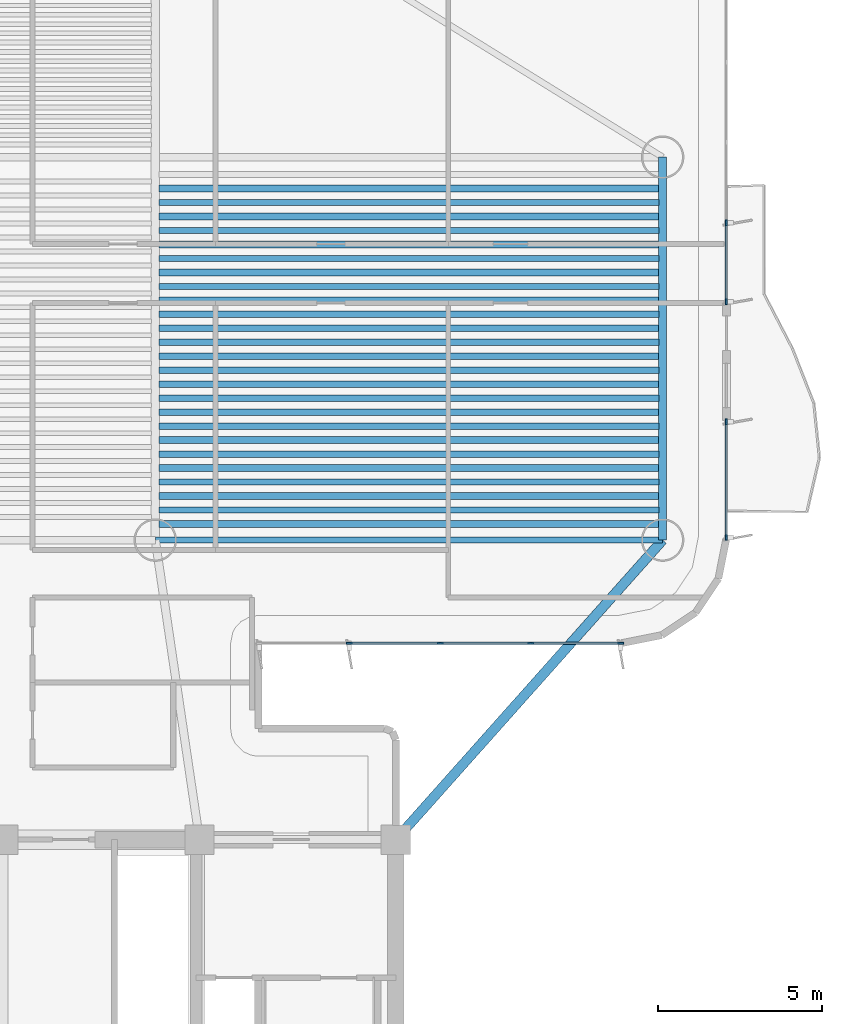
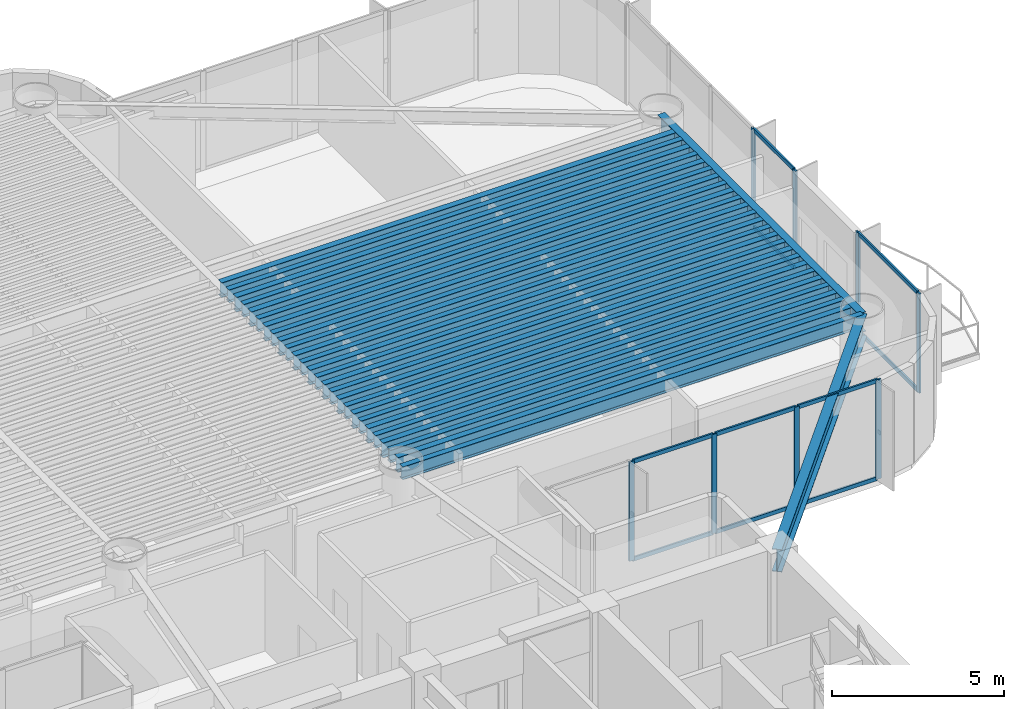
# One storey, part 4 of 16: 28 beams, 18 members, 3 elements without a shape of their own.
"""IFC4 building model written with IfcOpenShell, lengths in metres."""

import ifcopenshell
import ifcopenshell.guid

model = None  # the IFC model being written
_history = None  # IfcOwnerHistory: only IFC2X3 demands one
_inside = {}  # id of a spatial element -> (the spatial element, [elements in it])
_under = {}  # id of a project, library or spatial element -> (it, [spatial elements below it])
_declared = {}  # id of a project -> (the project, [libraries it declares])
_typed = {}  # id of a type object -> (the type object, [elements of that type])
_made_of = {}  # id of a material, layer set ... -> (it, [elements and type objects made of it])


def new_model(schema):
    """Start an empty IFC model of exactly this schema.

    Asked for "IFC4X3", IfcOpenShell would pick the latest addendum, in which some entities
    have other attributes; the version numbers below select the first issue.
    IFC2X3 requires an IfcOwnerHistory on every rooted entity: one is made here for all.
    """
    global model, _history
    if schema == "IFC4X3":
        model = ifcopenshell.file(schema_version=(4, 3, 0, 0))
    else:
        model = ifcopenshell.file(schema=schema)
    _inside.clear()
    _under.clear()
    _declared.clear()
    _typed.clear()
    _made_of.clear()
    _history = None
    if model.schema == "IFC2X3":
        org = make("IfcOrganization", Name="unknown")
        user = make(
            "IfcPersonAndOrganization",
            ThePerson=make("IfcPerson", FamilyName="unknown"),
            TheOrganization=org,
        )
        app = make(
            "IfcApplication",
            ApplicationDeveloper=org,
            Version="unknown",
            ApplicationFullName="unknown",
            ApplicationIdentifier="unknown",
        )
        _history = make(
            "IfcOwnerHistory",
            OwningUser=user,
            OwningApplication=app,
            ChangeAction="ADDED",
            CreationDate=0,
        )
    return model


def make(cls, **values):
    """One entity of the class cls with the attributes given. An attribute that is None is left unset."""
    return model.create_entity(
        cls, **{name: value for name, value in values.items() if value is not None}
    )


def rooted(cls, **values):
    """An entity with a GlobalId (a new one), such as an element, a storey or a relation."""
    return make(cls, GlobalId=ifcopenshell.guid.new(), OwnerHistory=_history, **values)


def si_unit(unit_type, name, prefix=None):
    """IfcSIUnit, for example si_unit("LENGTHUNIT", "METRE", prefix="MILLI")."""
    return make("IfcSIUnit", UnitType=unit_type, Prefix=prefix, Name=name)


def assignment(units):
    """IfcUnitAssignment: the units of a project."""
    return None if units is None else make("IfcUnitAssignment", Units=units)


def point(xyz):
    """IfcCartesianPoint."""
    return None if xyz is None else make("IfcCartesianPoint", Coordinates=xyz)


def direction(xyz):
    """IfcDirection."""
    return None if xyz is None else make("IfcDirection", DirectionRatios=xyz)


def frame(location, z_axis=None, x_axis=None):
    """IfcAxis2Placement3D, a coordinate frame: its origin and axes. An axis left out is left unset."""
    return make(
        "IfcAxis2Placement3D",
        Location=point(location),
        Axis=direction(z_axis),
        RefDirection=direction(x_axis),
    )


def frame_2d(location, x_axis=None):
    """IfcAxis2Placement2D, a coordinate frame in the plane: its origin and x axis."""
    return make(
        "IfcAxis2Placement2D", Location=point(location), RefDirection=direction(x_axis)
    )


def origin():
    """The frame at (0, 0, 0) with its axes left unset."""
    return frame((0.0, 0.0, 0.0))


def origin_2d():
    """The frame at (0, 0) in the plane with its x axis left unset."""
    return frame_2d((0.0, 0.0))


def place(relative_to, where):
    """IfcLocalPlacement: puts the frame where relative to a parent placement (None: the world)."""
    return make(
        "IfcLocalPlacement", PlacementRelTo=relative_to, RelativePlacement=where
    )


def context(
    kind, dimensions, precision=None, world=None, true_north=None, identifier=None
):
    """IfcGeometricRepresentationContext, for example the 3D "Model" context."""
    return make(
        "IfcGeometricRepresentationContext",
        ContextIdentifier=identifier,
        ContextType=kind,
        CoordinateSpaceDimension=dimensions,
        Precision=precision,
        WorldCoordinateSystem=world,
        TrueNorth=true_north,
    )


def subcontext(parent, identifier, kind, view, scale=None):
    """IfcGeometricRepresentationSubContext, for example "Body" below "Model"."""
    return make(
        "IfcGeometricRepresentationSubContext",
        ContextIdentifier=identifier,
        ContextType=kind,
        ParentContext=parent,
        TargetScale=scale,
        TargetView=view,
    )


def project(units=None, contexts=None):
    """IfcProject with its units and contexts."""
    return rooted(
        "IfcProject",
        Name="project",
        RepresentationContexts=contexts,
        UnitsInContext=assignment(units),
    )


def spatial(cls, under=None, at=None, **own):
    """A site, building, storey or space (cls), placed at a placement, below another one or the project."""
    s = rooted(cls, ObjectPlacement=at, **own)
    if under is not None:
        _under.setdefault(under.id(), (under, []))[1].append(s)
    return s


def profile(cls, at=None, kind="AREA", **sizes):
    """A parametric profile (cls). Its sizes go by their IFC names, for example OverallWidth=200.0."""
    return make(cls, ProfileType=kind, Position=at, **sizes)


def rectangle(**sizes):
    """IfcRectangleProfileDef."""
    return profile("IfcRectangleProfileDef", **sizes)


def i_section(**sizes):
    """IfcIShapeProfileDef."""
    return profile("IfcIShapeProfileDef", **sizes)


def extrude(swept, where, along, depth):
    """IfcExtrudedAreaSolid: the profile swept, set in the frame where, extruded along a direction by depth."""
    return make(
        "IfcExtrudedAreaSolid",
        SweptArea=swept,
        Position=where,
        ExtrudedDirection=direction(along),
        Depth=depth,
    )


def shape(context_of_items, identifier, shape_type, items):
    """IfcShapeRepresentation: the items that make up one representation, for example the "Body"."""
    return make(
        "IfcShapeRepresentation",
        ContextOfItems=context_of_items,
        RepresentationIdentifier=identifier,
        RepresentationType=shape_type,
        Items=items,
    )


def source(mapping_origin, context_of_items, identifier, shape_type, items):
    """IfcRepresentationMap: a shape defined once, which mapped items show again and again."""
    return make(
        "IfcRepresentationMap",
        MappingOrigin=mapping_origin,
        MappedRepresentation=shape(context_of_items, identifier, shape_type, items),
    )


def transform(
    local_origin,
    x_axis=None,
    y_axis=None,
    z_axis=None,
    scale=None,
    scale2=None,
    scale3=None,
    uniform=True,
):
    """IfcCartesianTransformationOperator3D, or its non-uniform kind. x_axis, y_axis, z_axis: its Axis1, 2, 3."""
    if uniform:
        return make(
            "IfcCartesianTransformationOperator3D",
            Axis1=direction(x_axis),
            Axis2=direction(y_axis),
            LocalOrigin=point(local_origin),
            Scale=scale,
            Axis3=direction(z_axis),
        )
    return make(
        "IfcCartesianTransformationOperator3DnonUniform",
        Axis1=direction(x_axis),
        Axis2=direction(y_axis),
        LocalOrigin=point(local_origin),
        Scale=scale,
        Axis3=direction(z_axis),
        Scale2=scale2,
        Scale3=scale3,
    )


def mapped(mapping_source, mapping_target):
    """IfcMappedItem: shows the shape of a source again, moved by a transform."""
    return make(
        "IfcMappedItem", MappingSource=mapping_source, MappingTarget=mapping_target
    )


def material(Name=None, Category=None):
    """IfcMaterial."""
    return make("IfcMaterial", Name=Name, Category=Category)


def layer(
    of_material, thickness, ventilated=None, Name=None, Category=None, Priority=None
):
    """IfcMaterialLayer: one layer of a wall or slab, of a material (None: an air gap)."""
    return make(
        "IfcMaterialLayer",
        Material=of_material,
        LayerThickness=thickness,
        IsVentilated=ventilated,
        Name=Name,
        Category=Category,
        Priority=Priority,
    )


def layer_set(layers, Name=None):
    """IfcMaterialLayerSet."""
    return make("IfcMaterialLayerSet", MaterialLayers=layers, LayerSetName=Name)


def material_profile(
    of_material, cross_section, Name=None, Category=None, Priority=None
):
    """IfcMaterialProfile: a cross section and its material."""
    return make(
        "IfcMaterialProfile",
        Name=Name,
        Material=of_material,
        Profile=cross_section,
        Priority=Priority,
        Category=Category,
    )


def profile_set(profiles, Name=None, composite=None):
    """IfcMaterialProfileSet."""
    return make(
        "IfcMaterialProfileSet",
        Name=Name,
        MaterialProfiles=profiles,
        CompositeProfile=composite,
    )


def made_of(thing, what):
    """Note that an element or type object is made of a material, layer set ...; save() writes the relation."""
    if what is not None:
        _made_of.setdefault(what.id(), (what, []))[1].append(thing)
    return thing


def type_object(cls, material=None, **own):
    """A type object (cls), such as IfcWallType, which elements share."""
    return made_of(rooted(cls, **own), material)


def element(
    cls,
    number,
    at=None,
    inside=None,
    cuts=None,
    type_object=None,
    material=None,
    context=None,
    identifier="Body",
    shape_type=None,
    held_by="IfcProductDefinitionShape",
    body=None,
    shapes=None,
    **own,
):
    """One element of the class cls, such as IfcWall. Its Tag is "e" and its number.

    at: its placement. inside: the storey or other place that contains it. cuts: it is an
    opening in that element (IfcRelVoidsElement). A single representation is given by context,
    identifier, shape_type and body (its items); several are given by shapes. held_by: the class
    of the entity that holds the representations. save() writes the other relations.
    """
    e = rooted(cls, Tag="e%d" % number, ObjectPlacement=at, **own)
    if body is not None:
        shapes = [shape(context, identifier, shape_type, body)]
    if shapes is not None:
        e.Representation = make(held_by, Representations=shapes)
    if inside is not None:
        _inside.setdefault(inside.id(), (inside, []))[1].append(e)
    if cuts is not None:
        rooted(
            "IfcRelVoidsElement", RelatingBuildingElement=cuts, RelatedOpeningElement=e
        )
    if type_object is not None:
        _typed.setdefault(type_object.id(), (type_object, []))[1].append(e)
    return made_of(e, material)


def aggregate(whole, parts):
    """IfcRelAggregates: a whole, such as a stair, and the parts it consists of."""
    return rooted("IfcRelAggregates", RelatingObject=whole, RelatedObjects=parts)


def save(model, path):
    """Write the relations noted so far, then the file.

    IfcRelAggregates (storeys below a building ...), IfcRelContainedInSpatialStructure (elements
    in a storey), IfcRelDefinesByType, IfcRelAssociatesMaterial and IfcRelDeclares: one each for
    every whole, place, type object, material and project.
    """
    for whole, parts in _under.values():
        aggregate(whole, parts)
    for where, things in _inside.values():
        rooted(
            "IfcRelContainedInSpatialStructure",
            RelatedElements=things,
            RelatingStructure=where,
        )
    for kind, things in _typed.values():
        rooted("IfcRelDefinesByType", RelatedObjects=things, RelatingType=kind)
    for what, things in _made_of.values():
        rooted("IfcRelAssociatesMaterial", RelatedObjects=things, RelatingMaterial=what)
    for by, libraries in _declared.values():
        rooted("IfcRelDeclares", RelatingContext=by, RelatedDefinitions=libraries)
    model.write(path)


model = new_model("IFC4")

# Units and contexts
model_context = context("Model", 3, precision=1e-05, world=origin(), true_north=direction((0.0, 1.0)))
body_context = subcontext(model_context, "Body", "Model", "MODEL_VIEW")
ifc_project = project(units=[si_unit("LENGTHUNIT", "METRE"), si_unit("AREAUNIT", "SQUARE_METRE"), si_unit("VOLUMEUNIT", "CUBIC_METRE"), si_unit("PLANEANGLEUNIT", "RADIAN"), si_unit("MASSUNIT", "GRAM", prefix="KILO")], contexts=[model_context])

# Site, building, storey
site_placement = place(None, origin())
site = spatial("IfcSite", under=ifc_project, at=site_placement, CompositionType="ELEMENT")
building_placement = place(site_placement, origin())
building = spatial("IfcBuilding", under=site, at=building_placement, Name="Brelvock Crest Care Tower", CompositionType="ELEMENT")
storey_placement = place(building_placement, frame((0.0, 0.0, 120.06005859375)))
storey = spatial("IfcBuildingStorey", under=building, at=storey_placement, Name="L30", CompositionType="ELEMENT", Elevation=120.06005859375)

# Beams
ifc_material_1 = material(Name="Steel Grade 350", Category="steel")
ifc_material_profile_1 = material_profile(ifc_material_1, i_section(OverallWidth=0.208984375, OverallDepth=0.532958984375, WebThickness=0.01025390625, FlangeThickness=0.015625, FilletRadius=0.013916015625, at=origin_2d()), Name="530UB92.4")
ifc_profile_set_1 = profile_set([ifc_material_profile_1], Name="Steel Grade 350")
beam_type_1 = type_object("IfcBeamType", Name="BM-G2", PredefinedType="BEAM", material=ifc_profile_set_1)
shared_shape_1 = source(origin(), body_context, "Body", "SweptSolid", [
    extrude(i_section(OverallWidth=0.208984375, OverallDepth=0.532958984375, WebThickness=0.01025390625, FlangeThickness=0.015625, FilletRadius=0.013916015625, at=origin_2d()), origin(), (0.0, 0.0, 1.0), 15.27001953125),
])
for number, where, z_axis, x_axis, name in (
    (1, (40.764892578125, 27.641357421875, 3.263427734375), (1.0, 0.0, 0.0), (0.0, 1.0, 0.0), "BM-JE-L30-1"),
    (2, (40.764892578125, 28.49560546875, 3.263427734375), (1.0, 0.0, 0.0), (0.0, 1.0, 0.0), "BM-JE-L30-3"),
    (3, (40.764892578125, 29.349609375, 3.263427734375), (1.0, 0.0, 0.0), (0.0, 1.0, 0.0), "BM-JE-L30-5"),
    (4, (40.764892578125, 30.20361328125, 3.263427734375), (1.0, 0.0, 0.0), (0.0, 1.0, 0.0), "BM-JE-L30-7"),
    (5, (40.764892578125, 31.057861328125, 3.263427734375), (1.0, 0.0, 0.0), (0.0, 1.0, 0.0), "BM-JE-L30-9"),
    (6, (40.764892578125, 31.911865234375, 3.263427734375), (1.0, 0.0, 0.0), (0.0, 1.0, 0.0), "BM-JE-L30-11"),
    (7, (40.764892578125, 32.76611328125, 3.263427734375), (1.0, 0.0, 0.0), (0.0, 1.0, 0.0), "BM-JE-L30-13"),
    (8, (40.764892578125, 33.6201171875, 3.263427734375), (1.0, 0.0, 0.0), (0.0, 1.0, 0.0), "BM-JE-L30-15"),
    (9, (40.764892578125, 34.47412109375, 3.263427734375), (1.0, 0.0, 0.0), (0.0, 1.0, 0.0), "BM-JE-L30-17"),
    (10, (40.764892578125, 35.328369140625, 3.263427734375), (1.0, 0.0, 0.0), (0.0, 1.0, 0.0), "BM-JE-L30-19"),
    (11, (40.764892578125, 36.182373046875, 3.263427734375), (1.0, 0.0, 0.0), (0.0, 1.0, 0.0), "BM-JE-L30-21"),
    (12, (40.764892578125, 37.03662109375, 3.263427734375), (1.0, 0.0, 0.0), (0.0, 1.0, 0.0), "BM-JE-L30-23"),
    (13, (40.764892578125, 37.890625, 3.263427734375), (1.0, 0.0, 0.0), (0.0, 1.0, 0.0), "BM-JE-L30-25"),
):
    element("IfcBeam", number, at=place(storey_placement, frame(where, z_axis=z_axis, x_axis=x_axis)), inside=storey, type_object=beam_type_1, Name=name, PredefinedType="BEAM", context=body_context, shape_type="MappedRepresentation", body=[
        mapped(shared_shape_1, transform((0.0, 0.0, 0.0), x_axis=(1.0, 0.0, 0.0), y_axis=(0.0, 1.0, 0.0), z_axis=(0.0, 0.0, 1.0), scale=1.0)),
    ])
ifc_material_profile_2 = material_profile(ifc_material_1, i_section(OverallWidth=0.19091796875, OverallDepth=0.4599609375, WebThickness=0.010009765625, FlangeThickness=0.01611328125, FilletRadius=0.011474609375, at=origin_2d()), Name="460UB82.1")
ifc_profile_set_2 = profile_set([ifc_material_profile_2], Name="Steel Grade 350")
beam_type_2 = type_object("IfcBeamType", Name="BM-G3", PredefinedType="BEAM", material=ifc_profile_set_2)
shared_shape_2 = source(origin(), body_context, "Body", "SweptSolid", [
    extrude(i_section(OverallWidth=0.19091796875, OverallDepth=0.4599609375, WebThickness=0.010009765625, FlangeThickness=0.01611328125, FilletRadius=0.011474609375, at=origin_2d()), origin(), (0.0, 0.0, 1.0), 15.27001953125),
])
for number, where, z_axis, x_axis, name in (
    (14, (40.764892578125, 28.068359375, 3.300048828125), (1.0, 0.0, 0.0), (0.0, 1.0, 0.0), "BM-JE-L30-2"),
    (15, (40.764892578125, 28.922607421875, 3.300048828125), (1.0, 0.0, 0.0), (0.0, 1.0, 0.0), "BM-JE-L30-4"),
    (16, (40.764892578125, 29.776611328125, 3.300048828125), (1.0, 0.0, 0.0), (0.0, 1.0, 0.0), "BM-JE-L30-6"),
    (17, (40.764892578125, 30.630615234375, 3.300048828125), (1.0, 0.0, 0.0), (0.0, 1.0, 0.0), "BM-JE-L30-8"),
    (18, (40.764892578125, 31.48486328125, 3.300048828125), (1.0, 0.0, 0.0), (0.0, 1.0, 0.0), "BM-JE-L30-10"),
    (19, (40.764892578125, 32.3388671875, 3.300048828125), (1.0, 0.0, 0.0), (0.0, 1.0, 0.0), "BM-JE-L30-12"),
    (20, (40.764892578125, 33.193115234375, 3.300048828125), (1.0, 0.0, 0.0), (0.0, 1.0, 0.0), "BM-JE-L30-14"),
    (21, (40.764892578125, 34.047119140625, 3.300048828125), (1.0, 0.0, 0.0), (0.0, 1.0, 0.0), "BM-JE-L30-16"),
    (22, (40.764892578125, 34.901123046875, 3.300048828125), (1.0, 0.0, 0.0), (0.0, 1.0, 0.0), "BM-JE-L30-18"),
    (23, (40.764892578125, 35.75537109375, 3.300048828125), (1.0, 0.0, 0.0), (0.0, 1.0, 0.0), "BM-JE-L30-20"),
    (24, (40.764892578125, 36.609619140625, 3.300048828125), (1.0, 0.0, 0.0), (0.0, 1.0, 0.0), "BM-JE-L30-22"),
    (25, (40.764892578125, 37.46337890625, 3.300048828125), (1.0, 0.0, 0.0), (0.0, 1.0, 0.0), "BM-JE-L30-24"),
):
    element("IfcBeam", number, at=place(storey_placement, frame(where, z_axis=z_axis, x_axis=x_axis)), inside=storey, type_object=beam_type_2, Name=name, PredefinedType="BEAM", context=body_context, shape_type="MappedRepresentation", body=[
        mapped(shared_shape_2, transform((0.0, 0.0, 0.0), x_axis=(1.0, 0.0, 0.0), y_axis=(0.0, 1.0, 0.0), z_axis=(0.0, 0.0, 1.0), scale=1.0)),
    ])
ifc_material_profile_3 = material_profile(ifc_material_1, i_section(OverallWidth=0.25, OverallDepth=0.699951171875, WebThickness=0.011962890625, FlangeThickness=0.02001953125, at=origin_2d()), Name="700WB150")
ifc_profile_set_3 = profile_set([ifc_material_profile_3], Name="Steel Grade 350")
beam_type_3 = type_object("IfcBeamType", Name="BM-G4", PredefinedType="BEAM", material=ifc_profile_set_3)
shared_shape_3 = source(origin(), body_context, "Body", "SweptSolid", [
    extrude(i_section(OverallWidth=0.25, OverallDepth=0.699951171875, WebThickness=0.011962890625, FlangeThickness=0.02001953125, at=origin_2d()), origin(), (0.0, 0.0, 1.0), 11.7001953125),
])
beam_1_placement = place(storey_placement, frame((56.14990234375, 27.14990234375, 3.179931640625), z_axis=(0.0, 1.0, 0.0), x_axis=(-1.0, 0.0, 0.0)))
element("IfcBeam", 26, at=beam_1_placement, inside=storey, type_object=beam_type_3, Name="BM-TWR-L30-02", PredefinedType="BEAM", context=body_context, shape_type="MappedRepresentation", body=[
    mapped(shared_shape_3, transform((0.0, 0.0, 0.0), x_axis=(1.0, 0.0, 0.0), y_axis=(0.0, 1.0, 0.0), z_axis=(0.0, 0.0, 1.0), scale=1.0)),
])
ifc_material_profile_4 = material_profile(ifc_material_1, i_section(OverallWidth=0.19091796875, OverallDepth=0.4599609375, WebThickness=0.010009765625, FlangeThickness=0.01611328125, FilletRadius=0.011474609375, at=origin_2d()), Name="460UB82.1")
ifc_profile_set_4 = profile_set([ifc_material_profile_4], Name="Steel Grade 350")
beam_type_4 = type_object("IfcBeamType", Name="BM-SP2", PredefinedType="SPANDREL", material=ifc_profile_set_4)
shared_shape_4 = source(origin(), body_context, "Body", "SweptSolid", [
    extrude(i_section(OverallWidth=0.19091796875, OverallDepth=0.4599609375, WebThickness=0.010009765625, FlangeThickness=0.01611328125, FilletRadius=0.011474609375, at=origin_2d()), origin(), (0.0, 0.0, 1.0), 15.5),
])
beam_2_placement = place(storey_placement, frame((40.64990234375, 27.14990234375, 3.300048828125), z_axis=(1.0, 0.0, 0.0), x_axis=(0.0, 1.0, 0.0)))
element("IfcBeam", 27, at=beam_2_placement, inside=storey, type_object=beam_type_4, Name="BM-TWR-L30-04", PredefinedType="SPANDREL", context=body_context, shape_type="MappedRepresentation", body=[
    mapped(shared_shape_4, transform((0.0, 0.0, 0.0), x_axis=(1.0, 0.0, 0.0), y_axis=(0.0, 1.0, 0.0), z_axis=(0.0, 0.0, 1.0), scale=1.0)),
])
ifc_material_profile_5 = material_profile(ifc_material_1, i_section(OverallWidth=0.300048828125, OverallDepth=0.800048828125, WebThickness=0.013916015625, FlangeThickness=0.02197265625, at=origin_2d()), Name="800WB192")
ifc_profile_set_5 = profile_set([ifc_material_profile_5], Name="Steel Grade 350")
beam_type_5 = type_object("IfcBeamType", Name="BM-G5", PredefinedType="BEAM", material=ifc_profile_set_5)
shared_shape_5 = source(origin(), body_context, "Body", "SweptSolid", [
    extrude(i_section(OverallWidth=0.300048828125, OverallDepth=0.800048828125, WebThickness=0.013916015625, FlangeThickness=0.02197265625, at=origin_2d()), origin(), (0.0, 0.0, 1.0), 12.253173828125),
])
beam_3_placement = place(storey_placement, frame((48.0, 18.0, 3.1298828125), z_axis=(0.665122829149, 0.746733970129, 0.0), x_axis=(-0.746733970129, 0.665122829149, 0.0)))
element("IfcBeam", 28, at=beam_3_placement, inside=storey, type_object=beam_type_5, Name="BM-THRO-E-L30", PredefinedType="BEAM", context=body_context, shape_type="MappedRepresentation", body=[
    mapped(shared_shape_5, transform((0.0, 0.0, 0.0), x_axis=(1.0, 0.0, 0.0), y_axis=(0.0, 1.0, 0.0), z_axis=(0.0, 0.0, 1.0), scale=1.0)),
])

# Curtain wall, members
ifc_material_2 = material(Name="Dark Glass Double Glazed Low-E", Category="glass")
ifc_layer = layer(ifc_material_2, 0.2099609375, Name="CWS-3")
ifc_layer_set = layer_set([ifc_layer], Name="Dark Glass Double Glazed Low-E")
curtain_wall_type = type_object("IfcCurtainWallType", Name="CWS-3", PredefinedType="NOTDEFINED", material=ifc_layer_set)
curtain_wall_1_placement = place(storey_placement, origin())
curtain_wall_1 = element("IfcCurtainWall", 29, at=curtain_wall_1_placement, inside=storey, type_object=curtain_wall_type, Name="L30 Curtain Wall E39A", PredefinedType="NOTDEFINED")
ifc_material_3 = material(Name="Aluminium 6063-T6", Category="aluminium")
ifc_material_profile_6 = material_profile(ifc_material_3, rectangle(XDim=0.06005859375, YDim=0.179931640625, at=origin_2d()), Name="ALU60x180")
ifc_profile_set_6 = profile_set([ifc_material_profile_6], Name="Aluminium 6063-T6")
member_type_1 = type_object("IfcMemberType", Name="CWM-2", PredefinedType="MULLION", material=ifc_profile_set_6)
shared_shape_6 = source(origin(), body_context, "Body", "SweptSolid", [
    extrude(rectangle(XDim=0.06005859375, YDim=0.179931640625, at=origin_2d()), origin(), (0.0, 0.0, 1.0), 3.530029296875),
])
member_1_placement = place(storey_placement, frame((58.10009765625, 36.85009765625, 0.0), z_axis=(0.0, 0.0, 1.0), x_axis=(1.0, 0.0, 0.0)))
member_1 = element("IfcMember", 30, at=member_1_placement, type_object=member_type_1, Name="CW-3 mullion 4", PredefinedType="MULLION", context=body_context, shape_type="MappedRepresentation", body=[
    mapped(shared_shape_6, transform((0.0, 0.0, 0.0), x_axis=(1.0, 0.0, 0.0), y_axis=(0.0, 1.0, 0.0), z_axis=(0.0, 0.0, 1.0), scale=1.0)),
])
member_2_placement = place(storey_placement, frame((58.10009765625, 34.429931640625, 0.0), z_axis=(0.0, 0.0, 1.0), x_axis=(1.0, 0.0, 0.0)))
member_2 = element("IfcMember", 31, at=member_2_placement, type_object=member_type_1, Name="CW-3 mullion 5", PredefinedType="MULLION", context=body_context, shape_type="MappedRepresentation", body=[
    mapped(shared_shape_6, transform((0.0, 0.0, 0.0), x_axis=(1.0, 0.0, 0.0), y_axis=(0.0, 1.0, 0.0), z_axis=(0.0, 0.0, 1.0), scale=1.0)),
])

curtain_wall_2_placement = place(storey_placement, origin())
curtain_wall_2 = element("IfcCurtainWall", 32, at=curtain_wall_2_placement, inside=storey, type_object=curtain_wall_type, Name="L30 Curtain Wall E39B", PredefinedType="NOTDEFINED")
member_3_placement = place(storey_placement, frame((58.10009765625, 30.77001953125, 0.0), z_axis=(0.0, 0.0, 1.0), x_axis=(1.0, 0.0, 0.0)))
member_3 = element("IfcMember", 33, at=member_3_placement, type_object=member_type_1, Name="CW-3 mullion 1", PredefinedType="MULLION", context=body_context, shape_type="MappedRepresentation", body=[
    mapped(shared_shape_6, transform((0.0, 0.0, 0.0), x_axis=(1.0, 0.0, 0.0), y_axis=(0.0, 1.0, 0.0), z_axis=(0.0, 0.0, 1.0), scale=1.0)),
])
member_4_placement = place(storey_placement, frame((58.10009765625, 27.22998046875, 0.0), z_axis=(0.0, 0.0, 1.0), x_axis=(1.0, 0.0, 0.0)))
member_4 = element("IfcMember", 34, at=member_4_placement, type_object=member_type_1, Name="CW-3 mullion 2", PredefinedType="MULLION", context=body_context, shape_type="MappedRepresentation", body=[
    mapped(shared_shape_6, transform((0.0, 0.0, 0.0), x_axis=(1.0, 0.0, 0.0), y_axis=(0.0, 1.0, 0.0), z_axis=(0.0, 0.0, 1.0), scale=1.0)),
])

curtain_wall_3_placement = place(storey_placement, origin())
curtain_wall_3 = element("IfcCurtainWall", 35, at=curtain_wall_3_placement, inside=storey, type_object=curtain_wall_type, Name="L30 Curtain Wall E44", PredefinedType="NOTDEFINED")
member_5_placement = place(storey_placement, frame((54.8701171875, 24.0, 0.0), z_axis=(0.0, 0.0, 1.0), x_axis=(0.0, -1.0, 0.0)))
member_5 = element("IfcMember", 36, at=member_5_placement, type_object=member_type_1, Name="CW-3 mullion 1", PredefinedType="MULLION", context=body_context, shape_type="MappedRepresentation", body=[
    mapped(shared_shape_6, transform((0.0, 0.0, 0.0), x_axis=(1.0, 0.0, 0.0), y_axis=(0.0, 1.0, 0.0), z_axis=(0.0, 0.0, 1.0), scale=1.0)),
])
member_6_placement = place(storey_placement, frame((52.125, 24.0, 0.0), z_axis=(0.0, 0.0, 1.0), x_axis=(0.0, -1.0, 0.0)))
member_6 = element("IfcMember", 37, at=member_6_placement, type_object=member_type_1, Name="CW-3 mullion 2", PredefinedType="MULLION", context=body_context, shape_type="MappedRepresentation", body=[
    mapped(shared_shape_6, transform((0.0, 0.0, 0.0), x_axis=(1.0, 0.0, 0.0), y_axis=(0.0, 1.0, 0.0), z_axis=(0.0, 0.0, 1.0), scale=1.0)),
])
member_7_placement = place(storey_placement, frame((49.35009765625, 24.0, 0.0), z_axis=(0.0, 0.0, 1.0), x_axis=(0.0, -1.0, 0.0)))
member_7 = element("IfcMember", 38, at=member_7_placement, type_object=member_type_1, Name="CW-3 mullion 3", PredefinedType="MULLION", context=body_context, shape_type="MappedRepresentation", body=[
    mapped(shared_shape_6, transform((0.0, 0.0, 0.0), x_axis=(1.0, 0.0, 0.0), y_axis=(0.0, 1.0, 0.0), z_axis=(0.0, 0.0, 1.0), scale=1.0)),
])
member_8_placement = place(storey_placement, frame((46.574951171875, 24.0, 0.0), z_axis=(0.0, 0.0, 1.0), x_axis=(0.0, -1.0, 0.0)))
member_8 = element("IfcMember", 39, at=member_8_placement, type_object=member_type_1, Name="CW-3 mullion 4", PredefinedType="MULLION", context=body_context, shape_type="MappedRepresentation", body=[
    mapped(shared_shape_6, transform((0.0, 0.0, 0.0), x_axis=(1.0, 0.0, 0.0), y_axis=(0.0, 1.0, 0.0), z_axis=(0.0, 0.0, 1.0), scale=1.0)),
])
ifc_material_profile_7 = material_profile(ifc_material_3, rectangle(XDim=0.06005859375, YDim=0.139892578125, at=origin_2d()), Name="ALU60x140")
ifc_profile_set_7 = profile_set([ifc_material_profile_7], Name="Aluminium 6063-T6")
member_type_2 = type_object("IfcMemberType", Name="CWT-2", PredefinedType="USERDEFINED", material=ifc_profile_set_7)
shared_shape_7 = source(origin(), body_context, "Body", "SweptSolid", [
    extrude(rectangle(XDim=0.06005859375, YDim=0.139892578125, at=origin_2d()), origin(), (0.0, 0.0, 1.0), 2.715087890625),
])
member_9_placement = place(storey_placement, frame((52.094970703125, 24.0, 0.030029296875), z_axis=(-1.0, 0.0, 0.0), x_axis=(0.0, -1.0, 0.0)))
member_9 = element("IfcMember", 40, at=member_9_placement, type_object=member_type_2, Name="CW-3 transom 2.1", ObjectType="TRANSOM", PredefinedType="USERDEFINED", context=body_context, shape_type="MappedRepresentation", body=[
    mapped(shared_shape_7, transform((0.0, 0.0, 0.0), x_axis=(1.0, 0.0, 0.0), y_axis=(0.0, 1.0, 0.0), z_axis=(0.0, 0.0, 1.0), scale=1.0)),
])
member_10_placement = place(storey_placement, frame((52.094970703125, 24.0, 3.5), z_axis=(-1.0, 0.0, 0.0), x_axis=(0.0, -1.0, 0.0)))
member_10 = element("IfcMember", 41, at=member_10_placement, type_object=member_type_2, Name="CW-3 transom 2.2", ObjectType="TRANSOM", PredefinedType="USERDEFINED", context=body_context, shape_type="MappedRepresentation", body=[
    mapped(shared_shape_7, transform((0.0, 0.0, 0.0), x_axis=(1.0, 0.0, 0.0), y_axis=(0.0, 1.0, 0.0), z_axis=(0.0, 0.0, 1.0), scale=1.0)),
])
member_11_placement = place(storey_placement, frame((49.320068359375, 24.0, 0.030029296875), z_axis=(-1.0, 0.0, 0.0), x_axis=(0.0, -1.0, 0.0)))
member_11 = element("IfcMember", 42, at=member_11_placement, type_object=member_type_2, Name="CW-3 transom 3.1", ObjectType="TRANSOM", PredefinedType="USERDEFINED", context=body_context, shape_type="MappedRepresentation", body=[
    mapped(shared_shape_7, transform((0.0, 0.0, 0.0), x_axis=(1.0, 0.0, 0.0), y_axis=(0.0, 1.0, 0.0), z_axis=(0.0, 0.0, 1.0), scale=1.0)),
])
member_12_placement = place(storey_placement, frame((49.320068359375, 24.0, 3.5), z_axis=(-1.0, 0.0, 0.0), x_axis=(0.0, -1.0, 0.0)))
member_12 = element("IfcMember", 43, at=member_12_placement, type_object=member_type_2, Name="CW-3 transom 3.2", ObjectType="TRANSOM", PredefinedType="USERDEFINED", context=body_context, shape_type="MappedRepresentation", body=[
    mapped(shared_shape_7, transform((0.0, 0.0, 0.0), x_axis=(1.0, 0.0, 0.0), y_axis=(0.0, 1.0, 0.0), z_axis=(0.0, 0.0, 1.0), scale=1.0)),
])
shared_shape_8 = source(origin(), body_context, "Body", "SweptSolid", [
    extrude(rectangle(XDim=0.06005859375, YDim=0.139892578125, at=origin_2d()), origin(), (0.0, 0.0, 1.0), 2.68505859375),
])
member_13_placement = place(storey_placement, frame((54.840087890625, 24.0, 0.030029296875), z_axis=(-1.0, 0.0, 0.0), x_axis=(0.0, -1.0, 0.0)))
member_13 = element("IfcMember", 44, at=member_13_placement, type_object=member_type_2, Name="CW-3 transom 1.1", ObjectType="TRANSOM", PredefinedType="USERDEFINED", context=body_context, shape_type="MappedRepresentation", body=[
    mapped(shared_shape_8, transform((0.0, 0.0, 0.0), x_axis=(1.0, 0.0, 0.0), y_axis=(0.0, 1.0, 0.0), z_axis=(0.0, 0.0, 1.0), scale=1.0)),
])
member_14_placement = place(storey_placement, frame((54.840087890625, 24.0, 3.5), z_axis=(-1.0, 0.0, 0.0), x_axis=(0.0, -1.0, 0.0)))
member_14 = element("IfcMember", 45, at=member_14_placement, type_object=member_type_2, Name="CW-3 transom 1.2", ObjectType="TRANSOM", PredefinedType="USERDEFINED", context=body_context, shape_type="MappedRepresentation", body=[
    mapped(shared_shape_8, transform((0.0, 0.0, 0.0), x_axis=(1.0, 0.0, 0.0), y_axis=(0.0, 1.0, 0.0), z_axis=(0.0, 0.0, 1.0), scale=1.0)),
])
aggregate(curtain_wall_3, [member_5, member_6, member_7, member_8, member_13, member_14, member_9, member_10, member_11, member_12])

# Member
shared_shape_9 = source(origin(), body_context, "Body", "SweptSolid", [
    extrude(rectangle(XDim=0.06005859375, YDim=0.139892578125, at=origin_2d()), origin(), (0.0, 0.0, 1.0), 3.47998046875),
])
member_15_placement = place(storey_placement, frame((58.10009765625, 30.739990234375, 0.030029296875), z_axis=(0.0, -1.0, 0.0), x_axis=(1.0, 0.0, 0.0)))
member_15 = element("IfcMember", 46, at=member_15_placement, type_object=member_type_2, Name="CW-3 transom 1.1", ObjectType="TRANSOM", PredefinedType="USERDEFINED", context=body_context, shape_type="MappedRepresentation", body=[
    mapped(shared_shape_9, transform((0.0, 0.0, 0.0), x_axis=(1.0, 0.0, 0.0), y_axis=(0.0, 1.0, 0.0), z_axis=(0.0, 0.0, 1.0), scale=1.0)),
])

member_16_placement = place(storey_placement, frame((58.10009765625, 30.739990234375, 3.5), z_axis=(0.0, -1.0, 0.0), x_axis=(1.0, 0.0, 0.0)))
member_16 = element("IfcMember", 47, at=member_16_placement, type_object=member_type_2, Name="CW-3 transom 1.2", ObjectType="TRANSOM", PredefinedType="USERDEFINED", context=body_context, shape_type="MappedRepresentation", body=[
    mapped(shared_shape_9, transform((0.0, 0.0, 0.0), x_axis=(1.0, 0.0, 0.0), y_axis=(0.0, 1.0, 0.0), z_axis=(0.0, 0.0, 1.0), scale=1.0)),
])

aggregate(curtain_wall_2, [member_3, member_4, member_15, member_16])

shared_shape_10 = source(origin(), body_context, "Body", "SweptSolid", [
    extrude(rectangle(XDim=0.06005859375, YDim=0.139892578125, at=origin_2d()), origin(), (0.0, 0.0, 1.0), 2.360107421875),
])
member_17_placement = place(storey_placement, frame((58.10009765625, 36.820068359375, 0.030029296875), z_axis=(0.0, -1.0, 0.0), x_axis=(1.0, 0.0, 0.0)))
member_17 = element("IfcMember", 48, at=member_17_placement, type_object=member_type_2, Name="CW-3 transom 4.1", ObjectType="TRANSOM", PredefinedType="USERDEFINED", context=body_context, shape_type="MappedRepresentation", body=[
    mapped(shared_shape_10, transform((0.0, 0.0, 0.0), x_axis=(1.0, 0.0, 0.0), y_axis=(0.0, 1.0, 0.0), z_axis=(0.0, 0.0, 1.0), scale=1.0)),
])

member_18_placement = place(storey_placement, frame((58.10009765625, 36.820068359375, 3.5), z_axis=(0.0, -1.0, 0.0), x_axis=(1.0, 0.0, 0.0)))
member_18 = element("IfcMember", 49, at=member_18_placement, type_object=member_type_2, Name="CW-3 transom 4.2", ObjectType="TRANSOM", PredefinedType="USERDEFINED", context=body_context, shape_type="MappedRepresentation", body=[
    mapped(shared_shape_10, transform((0.0, 0.0, 0.0), x_axis=(1.0, 0.0, 0.0), y_axis=(0.0, 1.0, 0.0), z_axis=(0.0, 0.0, 1.0), scale=1.0)),
])

aggregate(curtain_wall_1, [member_1, member_2, member_17, member_18])

save(model, "model.ifc")
